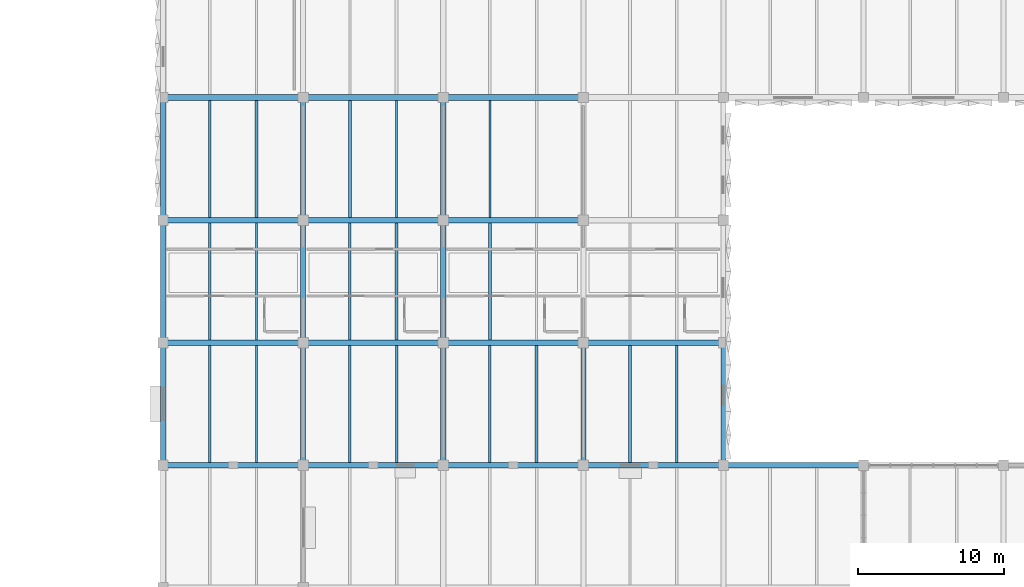
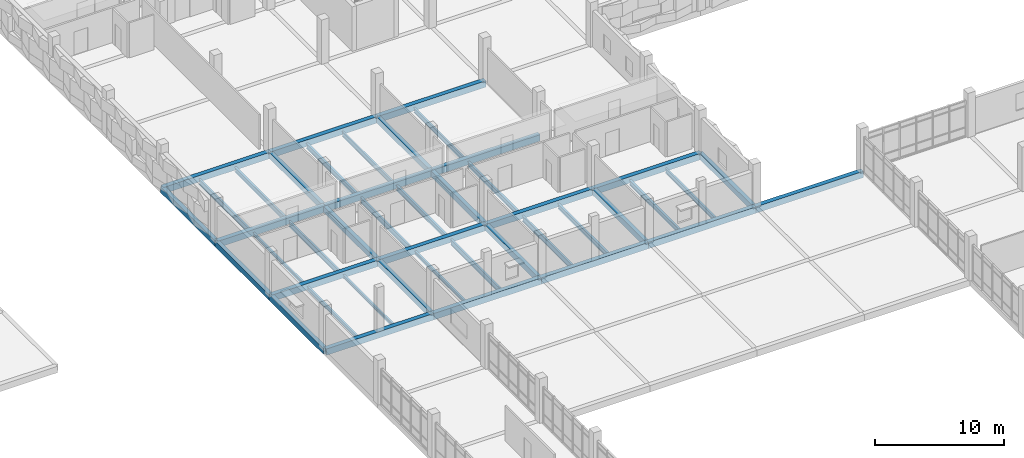
# One storey, part 21 of 57: 44 beams.
"""IFC4 building model written with IfcOpenShell, lengths in metres."""

from ifc_helpers import new_model, si_unit, direction, frame, origin, origin_2d, place, context, subcontext, project, spatial, rectangle, i_section, extrude, material, material_profile, profile_set, type_object, element, save


model = new_model("IFC4")

# Units and contexts
model_context = context("Model", 3, precision=1e-05, world=origin(), true_north=direction((0.0, 1.0)))
body_context = subcontext(model_context, "Body", "Model", "MODEL_VIEW")
ifc_project = project(units=[si_unit("LENGTHUNIT", "METRE"), si_unit("AREAUNIT", "SQUARE_METRE"), si_unit("VOLUMEUNIT", "CUBIC_METRE"), si_unit("PLANEANGLEUNIT", "RADIAN"), si_unit("MASSUNIT", "GRAM", prefix="KILO")], contexts=[model_context])

# Site, building, storey
site_placement = place(None, origin())
site = spatial("IfcSite", under=ifc_project, at=site_placement, CompositionType="ELEMENT")
building_placement = place(site_placement, origin())
building = spatial("IfcBuilding", under=site, at=building_placement, Name="Oolite Switchyard Hospital", CompositionType="ELEMENT")
storey_placement = place(building_placement, frame((0.0, 0.0, 17.800048828125)))
storey = spatial("IfcBuildingStorey", under=building, at=storey_placement, Name="L04", CompositionType="ELEMENT", Elevation=17.800048828125)

# Beams
ifc_material_1 = material(Name="Concrete C40/50", Category="concrete")
ifc_material_profile_1 = material_profile(ifc_material_1, rectangle(XDim=0.35009765625, YDim=0.550048828125, at=origin_2d()), Name="RCB350X550")
ifc_profile_set_1 = profile_set([ifc_material_profile_1], Name="Concrete C40/50")
beam_type_1 = type_object("IfcBeamType", Name="BM-RC350X550", PredefinedType="BEAM", material=ifc_profile_set_1)
for number, where, z_axis, x_axis, name in (
    (1, (134.39990234375, 75.60009765625, -0.275146484375), (0.0, 1.0, 0.0), (-1.0, 0.0, 0.0), "L04 Y-Girder 2984"),
    (2, (134.39990234375, 84.0, -0.275146484375), (0.0, 1.0, 0.0), (-1.0, 0.0, 0.0), "L04 Y-Girder 2985"),
):
    element("IfcBeam", number, at=place(storey_placement, frame(where, z_axis=z_axis, x_axis=x_axis)), inside=storey, type_object=beam_type_1, Name=name, PredefinedType="BEAM", context=body_context, shape_type="SweptSolid", body=[
        extrude(rectangle(XDim=0.35009765625, YDim=0.550048828125, at=origin_2d()), origin(), (0.0, 0.0, 1.0), 8.39990234375),
    ])
beam_1_placement = place(storey_placement, frame((134.39990234375, 92.39990234375, -0.275146484375), z_axis=(0.0, 1.0, 0.0), x_axis=(-1.0, 0.0, 0.0)))
element("IfcBeam", 3, at=beam_1_placement, inside=storey, type_object=beam_type_1, Name="L04 Y-Girder 2986", PredefinedType="BEAM", context=body_context, shape_type="SweptSolid", body=[
    extrude(rectangle(XDim=0.35009765625, YDim=0.550048828125, at=origin_2d()), origin(), (0.0, 0.0, 1.0), 8.400146484375),
])
for number, where, z_axis, x_axis, name in (
    (4, (144.0, 75.60009765625, -0.275146484375), (0.0, 1.0, 0.0), (-1.0, 0.0, 0.0), "L04 Y-Girder 2999"),
    (5, (144.0, 84.0, -0.275146484375), (0.0, 1.0, 0.0), (-1.0, 0.0, 0.0), "L04 Y-Girder 3000"),
):
    element("IfcBeam", number, at=place(storey_placement, frame(where, z_axis=z_axis, x_axis=x_axis)), inside=storey, type_object=beam_type_1, Name=name, PredefinedType="BEAM", context=body_context, shape_type="SweptSolid", body=[
        extrude(rectangle(XDim=0.35009765625, YDim=0.550048828125, at=origin_2d()), origin(), (0.0, 0.0, 1.0), 8.39990234375),
    ])
beam_2_placement = place(storey_placement, frame((144.0, 92.39990234375, -0.275146484375), z_axis=(0.0, 1.0, 0.0), x_axis=(-1.0, 0.0, 0.0)))
element("IfcBeam", 6, at=beam_2_placement, inside=storey, type_object=beam_type_1, Name="L04 Y-Girder 3001", PredefinedType="BEAM", context=body_context, shape_type="SweptSolid", body=[
    extrude(rectangle(XDim=0.35009765625, YDim=0.550048828125, at=origin_2d()), origin(), (0.0, 0.0, 1.0), 8.400146484375),
])
for number, where, z_axis, x_axis, name in (
    (7, (153.60009765625, 75.60009765625, -0.275146484375), (0.0, 1.0, 0.0), (-1.0, 0.0, 0.0), "L04 Y-Girder 3010"),
    (8, (153.60009765625, 84.0, -0.275146484375), (0.0, 1.0, 0.0), (-1.0, 0.0, 0.0), "L04 Y-Girder 3011"),
):
    element("IfcBeam", number, at=place(storey_placement, frame(where, z_axis=z_axis, x_axis=x_axis)), inside=storey, type_object=beam_type_1, Name=name, PredefinedType="BEAM", context=body_context, shape_type="SweptSolid", body=[
        extrude(rectangle(XDim=0.35009765625, YDim=0.550048828125, at=origin_2d()), origin(), (0.0, 0.0, 1.0), 8.39990234375),
    ])
beam_3_placement = place(storey_placement, frame((153.60009765625, 92.39990234375, -0.275146484375), z_axis=(0.0, 1.0, 0.0), x_axis=(-1.0, 0.0, 0.0)))
element("IfcBeam", 9, at=beam_3_placement, inside=storey, type_object=beam_type_1, Name="L04 Y-Girder 3012", PredefinedType="BEAM", context=body_context, shape_type="SweptSolid", body=[
    extrude(rectangle(XDim=0.35009765625, YDim=0.550048828125, at=origin_2d()), origin(), (0.0, 0.0, 1.0), 8.400146484375),
])
for number, where, z_axis, x_axis, name in (
    (10, (163.199951171875, 75.60009765625, -0.275146484375), (0.0, 1.0, 0.0), (-1.0, 0.0, 0.0), "L04 Y-Girder 3021"),
    (11, (172.800048828125, 75.60009765625, -0.275146484375), (0.0, 1.0, 0.0), (-1.0, 0.0, 0.0), "L04 Y-Girder 3032"),
):
    element("IfcBeam", number, at=place(storey_placement, frame(where, z_axis=z_axis, x_axis=x_axis)), inside=storey, type_object=beam_type_1, Name=name, PredefinedType="BEAM", context=body_context, shape_type="SweptSolid", body=[
        extrude(rectangle(XDim=0.35009765625, YDim=0.550048828125, at=origin_2d()), origin(), (0.0, 0.0, 1.0), 8.39990234375),
    ])
ifc_material_profile_2 = material_profile(ifc_material_1, rectangle(XDim=0.39990234375, YDim=0.60009765625, at=origin_2d()), Name="RCB400X600")
ifc_profile_set_2 = profile_set([ifc_material_profile_2], Name="Concrete C40/50")
beam_type_2 = type_object("IfcBeamType", Name="BM-RC400X600", PredefinedType="BEAM", material=ifc_profile_set_2)
for number, where, z_axis, x_axis, name in (
    (12, (134.39990234375, 75.60009765625, -0.300048828125), (1.0, 0.0, 0.0), (0.0, 1.0, 0.0), "L04 X-Girder 2824"),
    (13, (144.0, 75.60009765625, -0.300048828125), (1.0, 0.0, 0.0), (0.0, 1.0, 0.0), "L04 X-Girder 2825"),
):
    element("IfcBeam", number, at=place(storey_placement, frame(where, z_axis=z_axis, x_axis=x_axis)), inside=storey, type_object=beam_type_2, Name=name, PredefinedType="BEAM", context=body_context, shape_type="SweptSolid", body=[
        extrude(rectangle(XDim=0.39990234375, YDim=0.60009765625, at=origin_2d()), origin(), (0.0, 0.0, 1.0), 9.60009765625),
    ])
beam_4_placement = place(storey_placement, frame((153.60009765625, 75.60009765625, -0.300048828125), z_axis=(1.0, 0.0, 0.0), x_axis=(0.0, 1.0, 0.0)))
element("IfcBeam", 14, at=beam_4_placement, inside=storey, type_object=beam_type_2, Name="L04 X-Girder 2826", PredefinedType="BEAM", context=body_context, shape_type="SweptSolid", body=[
    extrude(rectangle(XDim=0.39990234375, YDim=0.60009765625, at=origin_2d()), origin(), (0.0, 0.0, 1.0), 9.599853515625),
])
beam_5_placement = place(storey_placement, frame((163.199951171875, 75.60009765625, -0.300048828125), z_axis=(1.0, 0.0, 0.0), x_axis=(0.0, 1.0, 0.0)))
element("IfcBeam", 15, at=beam_5_placement, inside=storey, type_object=beam_type_2, Name="L04 X-Girder 2827", PredefinedType="BEAM", context=body_context, shape_type="SweptSolid", body=[
    extrude(rectangle(XDim=0.39990234375, YDim=0.60009765625, at=origin_2d()), origin(), (0.0, 0.0, 1.0), 9.60009765625),
])
beam_6_placement = place(storey_placement, frame((172.800048828125, 75.60009765625, -0.300048828125), z_axis=(1.0, 0.0, 0.0), x_axis=(0.0, 1.0, 0.0)))
element("IfcBeam", 16, at=beam_6_placement, inside=storey, type_object=beam_type_2, Name="L04 X-Girder 2828", PredefinedType="BEAM", context=body_context, shape_type="SweptSolid", body=[
    extrude(rectangle(XDim=0.39990234375, YDim=0.60009765625, at=origin_2d()), origin(), (0.0, 0.0, 1.0), 9.599853515625),
])
for number, where, z_axis, x_axis, name in (
    (17, (134.39990234375, 84.0, -0.300048828125), (1.0, 0.0, 0.0), (0.0, 1.0, 0.0), "L04 X-Girder 2840"),
    (18, (144.0, 84.0, -0.300048828125), (1.0, 0.0, 0.0), (0.0, 1.0, 0.0), "L04 X-Girder 2841"),
):
    element("IfcBeam", number, at=place(storey_placement, frame(where, z_axis=z_axis, x_axis=x_axis)), inside=storey, type_object=beam_type_2, Name=name, PredefinedType="BEAM", context=body_context, shape_type="SweptSolid", body=[
        extrude(rectangle(XDim=0.39990234375, YDim=0.60009765625, at=origin_2d()), origin(), (0.0, 0.0, 1.0), 9.60009765625),
    ])
beam_7_placement = place(storey_placement, frame((153.60009765625, 84.0, -0.300048828125), z_axis=(1.0, 0.0, 0.0), x_axis=(0.0, 1.0, 0.0)))
element("IfcBeam", 19, at=beam_7_placement, inside=storey, type_object=beam_type_2, Name="L04 X-Girder 2842", PredefinedType="BEAM", context=body_context, shape_type="SweptSolid", body=[
    extrude(rectangle(XDim=0.39990234375, YDim=0.60009765625, at=origin_2d()), origin(), (0.0, 0.0, 1.0), 9.599853515625),
])
for number, where, z_axis, x_axis, name in (
    (20, (163.199951171875, 84.0, -0.300048828125), (1.0, 0.0, 0.0), (0.0, 1.0, 0.0), "L04 X-Girder 2843"),
    (21, (134.39990234375, 92.39990234375, -0.300048828125), (1.0, 0.0, 0.0), (0.0, 1.0, 0.0), "L04 X-Girder 2854"),
    (22, (144.0, 92.39990234375, -0.300048828125), (1.0, 0.0, 0.0), (0.0, 1.0, 0.0), "L04 X-Girder 2855"),
):
    element("IfcBeam", number, at=place(storey_placement, frame(where, z_axis=z_axis, x_axis=x_axis)), inside=storey, type_object=beam_type_2, Name=name, PredefinedType="BEAM", context=body_context, shape_type="SweptSolid", body=[
        extrude(rectangle(XDim=0.39990234375, YDim=0.60009765625, at=origin_2d()), origin(), (0.0, 0.0, 1.0), 9.60009765625),
    ])
beam_8_placement = place(storey_placement, frame((153.60009765625, 92.39990234375, -0.300048828125), z_axis=(1.0, 0.0, 0.0), x_axis=(0.0, 1.0, 0.0)))
element("IfcBeam", 23, at=beam_8_placement, inside=storey, type_object=beam_type_2, Name="L04 X-Girder 2856", PredefinedType="BEAM", context=body_context, shape_type="SweptSolid", body=[
    extrude(rectangle(XDim=0.39990234375, YDim=0.60009765625, at=origin_2d()), origin(), (0.0, 0.0, 1.0), 9.599853515625),
])
for number, where, z_axis, x_axis, name in (
    (24, (134.39990234375, 100.800048828125, -0.300048828125), (1.0, 0.0, 0.0), (0.0, 1.0, 0.0), "L04 X-Girder 2868"),
    (25, (144.0, 100.800048828125, -0.300048828125), (1.0, 0.0, 0.0), (0.0, 1.0, 0.0), "L04 X-Girder 2869"),
):
    element("IfcBeam", number, at=place(storey_placement, frame(where, z_axis=z_axis, x_axis=x_axis)), inside=storey, type_object=beam_type_2, Name=name, PredefinedType="BEAM", context=body_context, shape_type="SweptSolid", body=[
        extrude(rectangle(XDim=0.39990234375, YDim=0.60009765625, at=origin_2d()), origin(), (0.0, 0.0, 1.0), 9.60009765625),
    ])
beam_9_placement = place(storey_placement, frame((153.60009765625, 100.800048828125, -0.300048828125), z_axis=(1.0, 0.0, 0.0), x_axis=(0.0, 1.0, 0.0)))
element("IfcBeam", 26, at=beam_9_placement, inside=storey, type_object=beam_type_2, Name="L04 X-Girder 2870", PredefinedType="BEAM", context=body_context, shape_type="SweptSolid", body=[
    extrude(rectangle(XDim=0.39990234375, YDim=0.60009765625, at=origin_2d()), origin(), (0.0, 0.0, 1.0), 9.599853515625),
])
ifc_material_2 = material(Name="Steel ASTM A992 Grade 50", Category="steel")
ifc_material_profile_3 = material_profile(ifc_material_2, i_section(OverallWidth=0.1650390625, OverallDepth=0.31005859375, WebThickness=0.006103515625, FlangeThickness=0.010009765625, at=origin_2d()), Name="W12X26")
ifc_profile_set_3 = profile_set([ifc_material_profile_3], Name="Steel ASTM A992 Grade 50")
beam_type_3 = type_object("IfcBeamType", Name="BM-W12X26", PredefinedType="JOIST", material=ifc_profile_set_3)
for number, where, z_axis, x_axis, name in (
    (27, (140.800048828125, 75.800048828125, -0.429931640625), (0.0, 1.0, 0.0), (-1.0, 0.0, 0.0), "L04 Secondary Steel Joist 3182"),
    (28, (137.60009765625, 84.199951171875, -0.429931640625), (0.0, 1.0, 0.0), (-1.0, 0.0, 0.0), "L04 Secondary Steel Joist 3183"),
    (29, (147.199951171875, 75.800048828125, -0.429931640625), (0.0, 1.0, 0.0), (-1.0, 0.0, 0.0), "L04 Secondary Steel Joist 3201"),
):
    element("IfcBeam", number, at=place(storey_placement, frame(where, z_axis=z_axis, x_axis=x_axis)), inside=storey, type_object=beam_type_3, Name=name, PredefinedType="JOIST", context=body_context, shape_type="SweptSolid", body=[
        extrude(i_section(OverallWidth=0.1650390625, OverallDepth=0.31005859375, WebThickness=0.006103515625, FlangeThickness=0.010009765625, at=origin_2d()), origin(), (0.0, 0.0, 1.0), 8.0),
    ])
ifc_material_profile_4 = material_profile(ifc_material_2, i_section(OverallWidth=0.1708984375, OverallDepth=0.35107421875, WebThickness=0.007080078125, FlangeThickness=0.010009765625, at=origin_2d()), Name="W14X30")
ifc_profile_set_4 = profile_set([ifc_material_profile_4], Name="Steel ASTM A992 Grade 50")
beam_type_4 = type_object("IfcBeamType", Name="BM-W14X30", PredefinedType="JOIST", material=ifc_profile_set_4)
beam_10_placement = place(storey_placement, frame((137.60009765625, 75.800048828125, -0.449951171875), z_axis=(0.0, 1.0, 0.0), x_axis=(-1.0, 0.0, 0.0)))
element("IfcBeam", 30, at=beam_10_placement, inside=storey, type_object=beam_type_4, Name="L04 Secondary Steel Joist 3181", PredefinedType="JOIST", context=body_context, shape_type="SweptSolid", body=[
    extrude(i_section(OverallWidth=0.1708984375, OverallDepth=0.35107421875, WebThickness=0.007080078125, FlangeThickness=0.010009765625, at=origin_2d()), origin(), (0.0, 0.0, 1.0), 8.0),
])
ifc_material_profile_5 = material_profile(ifc_material_2, i_section(OverallWidth=0.153076171875, OverallDepth=0.455078125, WebThickness=0.008056640625, FlangeThickness=0.012939453125, at=origin_2d()), Name="W18X40")
ifc_profile_set_5 = profile_set([ifc_material_profile_5], Name="Steel ASTM A992 Grade 50")
beam_type_5 = type_object("IfcBeamType", Name="BM-W18X40", PredefinedType="JOIST", material=ifc_profile_set_5)
for number, where, z_axis, x_axis, name in (
    (31, (150.39990234375, 92.60009765625, -0.501953125), (0.0, 1.0, 0.0), (-1.0, 0.0, 0.0), "L04 Secondary Steel Joist 3206"),
    (32, (156.800048828125, 92.60009765625, -0.501953125), (0.0, 1.0, 0.0), (-1.0, 0.0, 0.0), "L04 Secondary Steel Joist 3227"),
    (33, (169.60009765625, 75.800048828125, -0.501953125), (0.0, 1.0, 0.0), (-1.0, 0.0, 0.0), "L04 Secondary Steel Joist 3244"),
):
    element("IfcBeam", number, at=place(storey_placement, frame(where, z_axis=z_axis, x_axis=x_axis)), inside=storey, type_object=beam_type_5, Name=name, PredefinedType="JOIST", context=body_context, shape_type="SweptSolid", body=[
        extrude(i_section(OverallWidth=0.153076171875, OverallDepth=0.455078125, WebThickness=0.008056640625, FlangeThickness=0.012939453125, at=origin_2d()), origin(), (0.0, 0.0, 1.0), 8.0),
    ])
ifc_material_profile_6 = material_profile(ifc_material_2, i_section(OverallWidth=0.19091796875, OverallDepth=0.4599609375, WebThickness=0.010009765625, FlangeThickness=0.01611328125, at=origin_2d()), Name="W18X55")
ifc_profile_set_6 = profile_set([ifc_material_profile_6], Name="Steel ASTM A992 Grade 50")
beam_type_6 = type_object("IfcBeamType", Name="BM-W18X55", PredefinedType="JOIST", material=ifc_profile_set_6)
for number, where, z_axis, x_axis, name in (
    (34, (140.800048828125, 92.60009765625, -0.505126953125), (0.0, 1.0, 0.0), (-1.0, 0.0, 0.0), "L04 Secondary Steel Joist 3186"),
    (35, (150.39990234375, 84.199951171875, -0.505126953125), (0.0, 1.0, 0.0), (-1.0, 0.0, 0.0), "L04 Secondary Steel Joist 3204"),
    (36, (147.199951171875, 92.60009765625, -0.505126953125), (0.0, 1.0, 0.0), (-1.0, 0.0, 0.0), "L04 Secondary Steel Joist 3205"),
    (37, (160.0, 75.800048828125, -0.505126953125), (0.0, 1.0, 0.0), (-1.0, 0.0, 0.0), "L04 Secondary Steel Joist 3224"),
    (38, (156.800048828125, 84.199951171875, -0.505126953125), (0.0, 1.0, 0.0), (-1.0, 0.0, 0.0), "L04 Secondary Steel Joist 3225"),
    (39, (166.39990234375, 75.800048828125, -0.505126953125), (0.0, 1.0, 0.0), (-1.0, 0.0, 0.0), "L04 Secondary Steel Joist 3243"),
):
    element("IfcBeam", number, at=place(storey_placement, frame(where, z_axis=z_axis, x_axis=x_axis)), inside=storey, type_object=beam_type_6, Name=name, PredefinedType="JOIST", context=body_context, shape_type="SweptSolid", body=[
        extrude(i_section(OverallWidth=0.19091796875, OverallDepth=0.4599609375, WebThickness=0.010009765625, FlangeThickness=0.01611328125, at=origin_2d()), origin(), (0.0, 0.0, 1.0), 8.0),
    ])
ifc_material_profile_7 = material_profile(ifc_material_2, i_section(OverallWidth=0.166015625, OverallDepth=0.529052734375, WebThickness=0.010009765625, FlangeThickness=0.013916015625, at=origin_2d()), Name="W21X50")
ifc_profile_set_7 = profile_set([ifc_material_profile_7], Name="Steel ASTM A992 Grade 50")
beam_type_7 = type_object("IfcBeamType", Name="BM-W21X50", PredefinedType="JOIST", material=ifc_profile_set_7)
for number, where, z_axis, x_axis, name in (
    (40, (140.800048828125, 84.199951171875, -0.5400390625), (0.0, 1.0, 0.0), (-1.0, 0.0, 0.0), "L04 Secondary Steel Joist 3184"),
    (41, (137.60009765625, 92.60009765625, -0.5400390625), (0.0, 1.0, 0.0), (-1.0, 0.0, 0.0), "L04 Secondary Steel Joist 3185"),
    (42, (150.39990234375, 75.800048828125, -0.5400390625), (0.0, 1.0, 0.0), (-1.0, 0.0, 0.0), "L04 Secondary Steel Joist 3202"),
    (43, (147.199951171875, 84.199951171875, -0.5400390625), (0.0, 1.0, 0.0), (-1.0, 0.0, 0.0), "L04 Secondary Steel Joist 3203"),
    (44, (156.800048828125, 75.800048828125, -0.5400390625), (0.0, 1.0, 0.0), (-1.0, 0.0, 0.0), "L04 Secondary Steel Joist 3223"),
):
    element("IfcBeam", number, at=place(storey_placement, frame(where, z_axis=z_axis, x_axis=x_axis)), inside=storey, type_object=beam_type_7, Name=name, PredefinedType="JOIST", context=body_context, shape_type="SweptSolid", body=[
        extrude(i_section(OverallWidth=0.166015625, OverallDepth=0.529052734375, WebThickness=0.010009765625, FlangeThickness=0.013916015625, at=origin_2d()), origin(), (0.0, 0.0, 1.0), 8.0),
    ])

save(model, "model.ifc")
